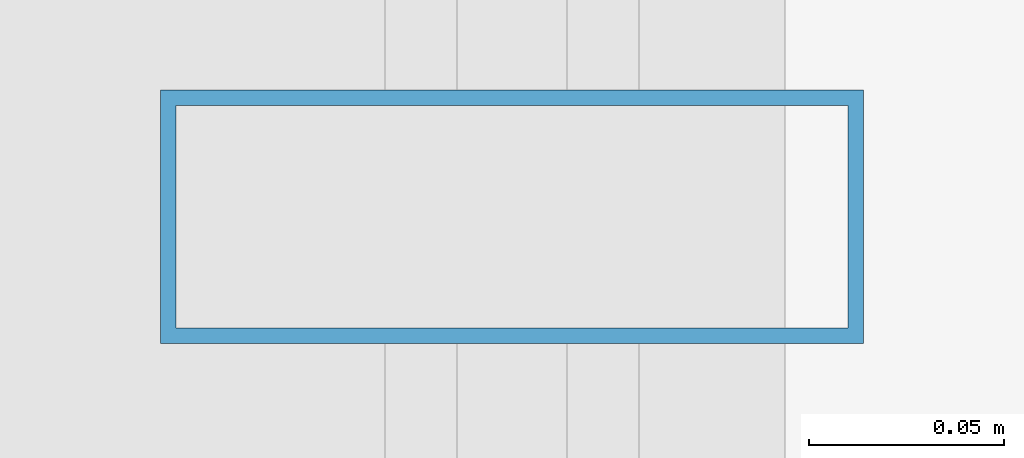
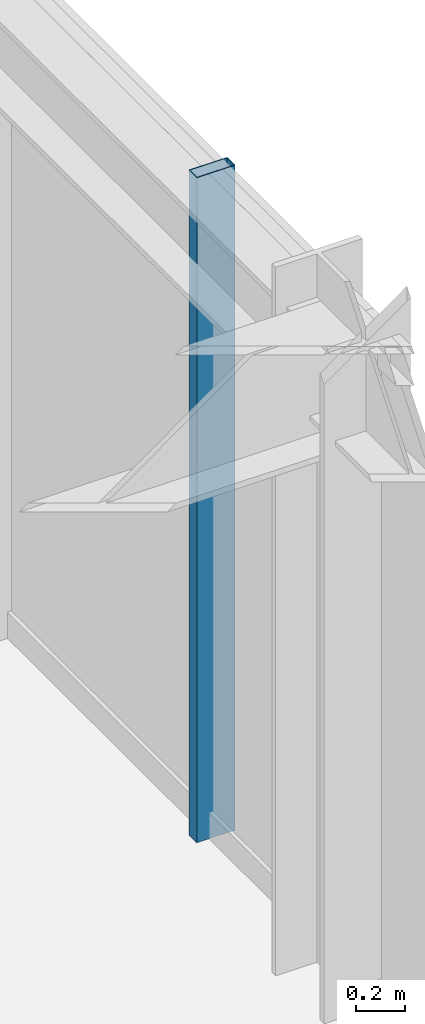
# One storey, part 14 of 32: 1 member, 1 element without a shape of its own.
"""IFC4 building model written with IfcOpenShell, lengths in metres."""

from ifc_helpers import new_model, si_unit, direction, frame, origin, origin_2d, place, context, subcontext, project, spatial, hollow_rectangle, extrude, source, transform, mapped, material, material_profile, profile_set, type_object, element, aggregate, save


model = new_model("IFC4")

# Units and contexts
model_context = context("Model", 3, precision=1e-05, world=origin(), true_north=direction((0.0, 1.0)))
body_context = subcontext(model_context, "Body", "Model", "MODEL_VIEW")
ifc_project = project(units=[si_unit("LENGTHUNIT", "METRE"), si_unit("AREAUNIT", "SQUARE_METRE"), si_unit("VOLUMEUNIT", "CUBIC_METRE"), si_unit("PLANEANGLEUNIT", "RADIAN"), si_unit("MASSUNIT", "GRAM", prefix="KILO")], contexts=[model_context])

# Site, building, storey
site_placement = place(None, origin())
site = spatial("IfcSite", under=ifc_project, at=site_placement, CompositionType="ELEMENT")
building_placement = place(site_placement, origin())
building = spatial("IfcBuilding", under=site, at=building_placement, Name="Nahalor Promenade Grand Hotel", CompositionType="ELEMENT")
storey_placement = place(building_placement, frame((0.0, 0.0, 196.449951171875)))
storey = spatial("IfcBuildingStorey", under=building, at=storey_placement, Name="L50", CompositionType="ELEMENT", Elevation=196.449951171875)

# Curtain wall, member
ifc_material = material(Name="Anodised Bronze Aluminium EN AW-6063 T6", Category="aluminium")
curtain_wall_type = type_object("IfcCurtainWallType", Name="CW2 Typical Hotel Flush Bronze Unitised Curtain Wall", PredefinedType="USERDEFINED", material=ifc_material)
curtain_wall_placement = place(storey_placement, origin())
curtain_wall = element("IfcCurtainWall", 1, at=curtain_wall_placement, inside=storey, type_object=curtain_wall_type, Name="L50 Curtain Wall CW-L50-E-1", ObjectType="UNITISED_CURTAIN_WALL", PredefinedType="USERDEFINED")
ifc_material_profile = material_profile(ifc_material, hollow_rectangle(XDim=0.065, YDim=0.18, WallThickness=0.004, at=origin_2d()), Name="CWM 65x180x4")
ifc_profile_set = profile_set([ifc_material_profile], Name="Anodised Bronze Aluminium EN AW-6063 T6")
member_type = type_object("IfcMemberType", Name="CWM2 Typical Bronze Mullion 65x180", PredefinedType="MULLION", material=ifc_profile_set)
shared_shape = source(origin(), body_context, "Body", "SweptSolid", [
    extrude(hollow_rectangle(XDim=0.065, YDim=0.18, WallThickness=0.004, at=origin_2d()), origin(), (0.0, 0.0, 1.0), 3.2900390625),
])
member_placement = place(storey_placement, frame((22.56005859375, 6.586669921875, 0.0), z_axis=(0.0, 0.0, 1.0), x_axis=(0.0, 1.0, 0.0)))
member = element("IfcMember", 2, at=member_placement, type_object=member_type, Name="CW-L50-E-1 Mullion 2", PredefinedType="MULLION", context=body_context, shape_type="MappedRepresentation", body=[
    mapped(shared_shape, transform((0.0, 0.0, 0.0), scale=1.0)),
])
aggregate(curtain_wall, [member])

save(model, "model.ifc")
